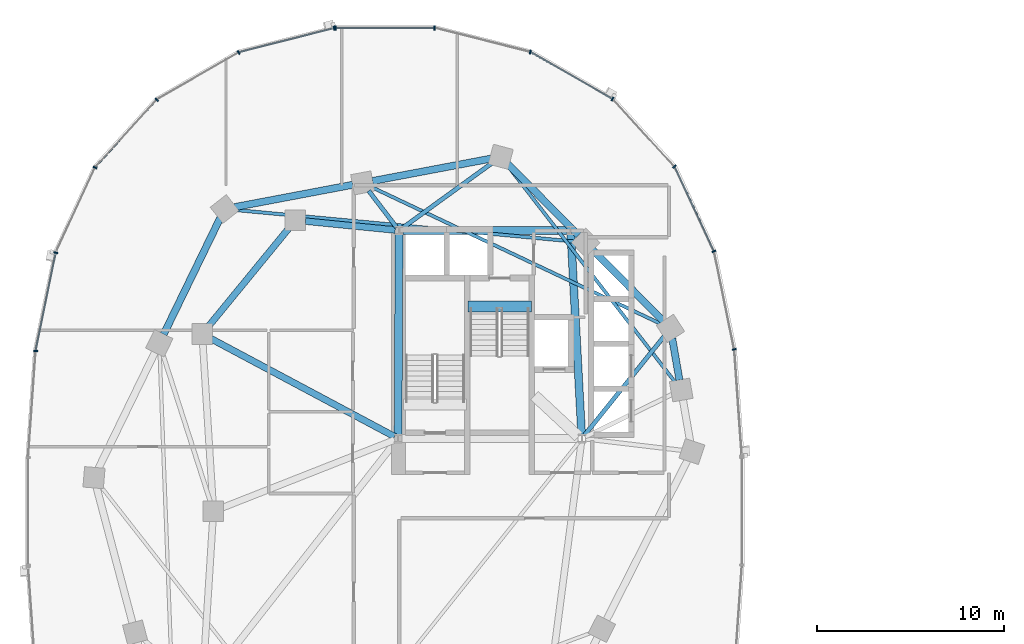
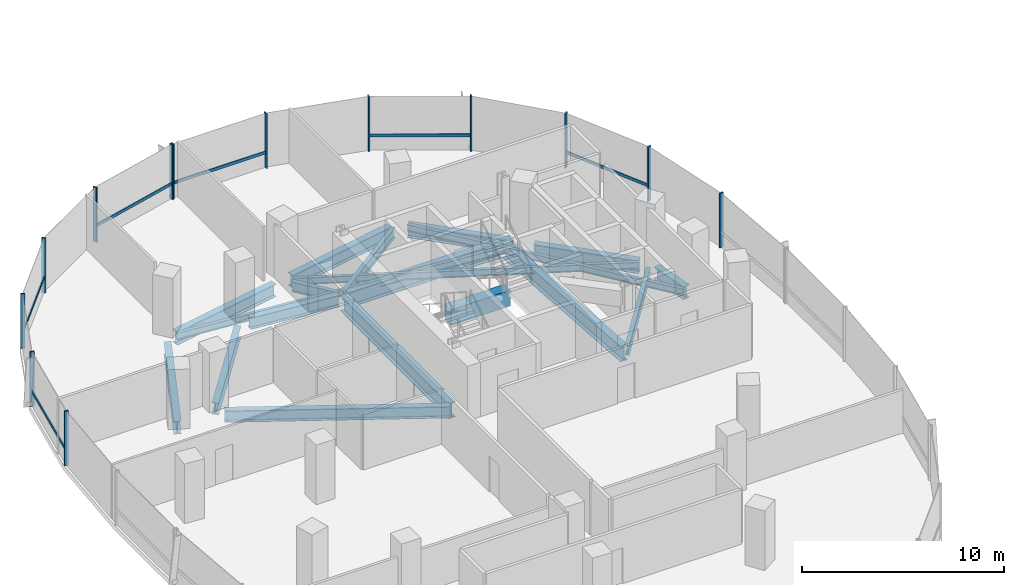
# One storey, part 4 of 21: 19 beams, 19 members, 2 elements without a shape of their own.
"""IFC4 building model written with IfcOpenShell, lengths in metres."""

from ifc_helpers import new_model, si_unit, direction, frame, origin, origin_2d, place, context, subcontext, project, spatial, rectangle, i_section, extrude, material, material_profile, profile_set, type_object, element, aggregate, save


model = new_model("IFC4")

# Units and contexts
model_context = context("Model", 3, precision=1e-05, world=origin(), true_north=direction((0.0, 1.0)))
body_context = subcontext(model_context, "Body", "Model", "MODEL_VIEW")
ifc_project = project(units=[si_unit("LENGTHUNIT", "METRE"), si_unit("AREAUNIT", "SQUARE_METRE"), si_unit("VOLUMEUNIT", "CUBIC_METRE"), si_unit("PLANEANGLEUNIT", "RADIAN"), si_unit("MASSUNIT", "GRAM", prefix="KILO"), si_unit("THERMODYNAMICTEMPERATUREUNIT", "KELVIN"), si_unit("POWERUNIT", "WATT")], contexts=[model_context])

# Site, building, storey
site_placement = place(None, origin())
site = spatial("IfcSite", under=ifc_project, at=site_placement, CompositionType="ELEMENT")
building_placement = place(site_placement, origin())
building = spatial("IfcBuilding", under=site, at=building_placement, Name="Cundina Bronze Exchange", CompositionType="ELEMENT")
storey_placement = place(building_placement, frame((0.0, 0.0, 96.199951171875)))
storey = spatial("IfcBuildingStorey", under=building, at=storey_placement, Name="L24", CompositionType="ELEMENT", Elevation=96.199951171875)

# Beams
ifc_material_1 = material(Name="Concrete C60/75", Category="concrete")
ifc_material_profile_1 = material_profile(ifc_material_1, rectangle(XDim=0.60009765625, YDim=0.949951171875, at=origin_2d()), Name="RC600X950", Category="concrete")
ifc_profile_set_1 = profile_set([ifc_material_profile_1], Name="Concrete C60/75")
beam_type_1 = type_object("IfcBeamType", Name="BM-COUP-RC950", PredefinedType="LINTEL", material=ifc_profile_set_1)
beam_1_placement = place(storey_placement, frame((-27.56005859375, 10.97998046875, -0.474853515625), z_axis=(1.0, 0.0, 0.0), x_axis=(0.0, 1.0, 0.0)))
element("IfcBeam", 1, at=beam_1_placement, inside=storey, type_object=beam_type_1, Name="L24 Stair W2 Landing Header Beam", PredefinedType="LINTEL", context=body_context, shape_type="SweptSolid", body=[
    extrude(rectangle(XDim=0.60009765625, YDim=0.949951171875, at=origin_2d()), origin(), (0.0, 0.0, 1.0), 3.400146484375),
])
ifc_material_2 = material(Name="Steel ASTM A992 Grade 50", Category="steel")
ifc_material_profile_2 = material_profile(ifc_material_2, i_section(OverallWidth=0.22998046875, OverallDepth=0.616943359375, WebThickness=0.01318359375, FlangeThickness=0.022216796875, FilletRadius=0.013916015625, at=origin_2d()), Name="W24X94", Category="steel")
ifc_profile_set_2 = profile_set([ifc_material_profile_2], Name="Steel ASTM A992 Grade 50")
beam_type_2 = type_object("IfcBeamType", Name="BM-FLR-W24B", PredefinedType="BEAM", material=ifc_profile_set_2)
beam_2_placement = place(storey_placement, frame((-21.322021484375, 4.058837890625, -0.6083984375), z_axis=(0.627106187843, 0.778933777139, 0.0), x_axis=(-0.778933777139, 0.627106187843, 0.0)))
element("IfcBeam", 2, at=beam_2_placement, inside=storey, type_object=beam_type_2, Name="L24 Leg W Radial Floor Beam 02", PredefinedType="BEAM", context=body_context, shape_type="SweptSolid", body=[
    extrude(i_section(OverallWidth=0.22998046875, OverallDepth=0.616943359375, WebThickness=0.01318359375, FlangeThickness=0.022216796875, FilletRadius=0.013916015625, at=origin_2d()), origin(), (0.0, 0.0, 1.0), 6.83251953125),
])
beam_3_placement = place(storey_placement, frame((-31.084716796875, 15.169677734375, -0.6083984375), z_axis=(0.809686957662, 0.586862020063, 0.0), x_axis=(-0.586862020063, 0.809686957662, 0.0)))
element("IfcBeam", 3, at=beam_3_placement, inside=storey, type_object=beam_type_2, Name="L24 Leg W Radial Floor Beam 04", PredefinedType="BEAM", context=body_context, shape_type="SweptSolid", body=[
    extrude(i_section(OverallWidth=0.22998046875, OverallDepth=0.616943359375, WebThickness=0.01318359375, FlangeThickness=0.022216796875, FilletRadius=0.013916015625, at=origin_2d()), origin(), (0.0, 0.0, 1.0), 5.98876953125),
])
beam_4_placement = place(storey_placement, frame((-31.373779296875, 15.2119140625, -0.6083984375), z_axis=(-0.607490490457, 0.79432695032, 0.0), x_axis=(-0.79432695032, -0.607490490457, 0.0)))
element("IfcBeam", 4, at=beam_4_placement, inside=storey, type_object=beam_type_2, Name="L24 Leg W Radial Floor Beam 05", PredefinedType="BEAM", context=body_context, shape_type="SweptSolid", body=[
    extrude(i_section(OverallWidth=0.22998046875, OverallDepth=0.616943359375, WebThickness=0.01318359375, FlangeThickness=0.022216796875, FilletRadius=0.013916015625, at=origin_2d()), origin(), (0.0, 0.0, 1.0), 2.46826171875),
])
ifc_material_profile_3 = material_profile(ifc_material_2, i_section(OverallWidth=0.178955078125, OverallDepth=0.409912109375, WebThickness=0.0087890625, FlangeThickness=0.014404296875, FilletRadius=0.010986328125, at=origin_2d()), Name="W16X45", Category="steel")
ifc_profile_set_3 = profile_set([ifc_material_profile_3], Name="Steel ASTM A992 Grade 50")
beam_type_3 = type_object("IfcBeamType", Name="BM-JST-W16", PredefinedType="JOIST", material=ifc_profile_set_3)
beam_5_placement = place(storey_placement, frame((-16.454345703125, 6.92529296875, -0.5048828125), z_axis=(-0.612065218806, 0.790807288742, 0.0), x_axis=(-0.790807288742, -0.612065218806, 0.0)))
element("IfcBeam", 5, at=beam_5_placement, inside=storey, type_object=beam_type_3, Name="L24 Leg W Lobe Floor Joist 01-04", PredefinedType="JOIST", context=body_context, shape_type="SweptSolid", body=[
    extrude(i_section(OverallWidth=0.178955078125, OverallDepth=0.409912109375, WebThickness=0.0087890625, FlangeThickness=0.014404296875, FilletRadius=0.010986328125, at=origin_2d()), origin(), (0.0, 0.0, 1.0), 14.73095703125),
])
beam_6_placement = place(storey_placement, frame((-17.186279296875, 10.02978515625, -0.5048828125), z_axis=(-0.904069270633, 0.427385954259, 0.0), x_axis=(-0.427385954259, -0.904069270633, 0.0)))
element("IfcBeam", 6, at=beam_6_placement, inside=storey, type_object=beam_type_3, Name="L24 Leg W Lobe Floor Joist 02-05", PredefinedType="JOIST", context=body_context, shape_type="SweptSolid", body=[
    extrude(i_section(OverallWidth=0.178955078125, OverallDepth=0.409912109375, WebThickness=0.0087890625, FlangeThickness=0.014404296875, FilletRadius=0.010986328125, at=origin_2d()), origin(), (0.0, 0.0, 1.0), 17.175048828125),
])
beam_7_placement = place(storey_placement, frame((-21.78564453125, 14.44970703125, -0.5048828125), z_axis=(-0.995700674022, 0.092629194921, 0.0), x_axis=(-0.092629194921, -0.995700674022, 0.0)))
element("IfcBeam", 7, at=beam_7_placement, inside=storey, type_object=beam_type_3, Name="L24 Leg W Lobe Floor Joist 03-06", PredefinedType="JOIST", context=body_context, shape_type="SweptSolid", body=[
    extrude(i_section(OverallWidth=0.178955078125, OverallDepth=0.409912109375, WebThickness=0.0087890625, FlangeThickness=0.014404296875, FilletRadius=0.010986328125, at=origin_2d()), origin(), (0.0, 0.0, 1.0), 18.357421875),
])
ifc_material_profile_4 = material_profile(ifc_material_2, i_section(OverallWidth=0.35498046875, OverallDepth=0.695068359375, WebThickness=0.015380859375, FlangeThickness=0.02490234375, FilletRadius=0.01806640625, at=origin_2d()), Name="W27X146", Category="steel")
ifc_profile_set_4 = profile_set([ifc_material_profile_4], Name="Steel ASTM A992 Grade 50")
beam_type_4 = type_object("IfcBeamType", Name="BM-RING-W27", PredefinedType="USERDEFINED", material=ifc_profile_set_4)
beam_8_placement = place(storey_placement, frame((-31.452880859375, 15.070068359375, -0.6474609375), z_axis=(-0.995126271817, 0.098608839051, 0.0), x_axis=(-0.098608839051, -0.995126271817, 0.0)))
element("IfcBeam", 8, at=beam_8_placement, inside=storey, type_object=beam_type_4, Name="L24 W Inner Structural Ring Girder 01", ObjectType="GIRDER", PredefinedType="USERDEFINED", context=body_context, shape_type="SweptSolid", body=[
    extrude(i_section(OverallWidth=0.35498046875, OverallDepth=0.695068359375, WebThickness=0.015380859375, FlangeThickness=0.02490234375, FilletRadius=0.01806640625, at=origin_2d()), origin(), (0.0, 0.0, 1.0), 4.83544921875),
])
beam_9_placement = place(storey_placement, frame((-37.14111328125, 15.183837890625, -0.6474609375), z_axis=(-0.633926549035, -0.773393257295, 0.0), x_axis=(0.773393257295, -0.633926549035, 0.0)))
element("IfcBeam", 9, at=beam_9_placement, inside=storey, type_object=beam_type_4, Name="L24 W Inner Structural Ring Girder 02", ObjectType="GIRDER", PredefinedType="USERDEFINED", context=body_context, shape_type="SweptSolid", body=[
    extrude(i_section(OverallWidth=0.35498046875, OverallDepth=0.695068359375, WebThickness=0.015380859375, FlangeThickness=0.02490234375, FilletRadius=0.01806640625, at=origin_2d()), origin(), (0.0, 0.0, 1.0), 6.811279296875),
])
beam_10_placement = place(storey_placement, frame((-31.47998046875, 3.99609375, -0.6474609375), z_axis=(-0.882354758239, 0.470584828286, 0.0), x_axis=(-0.470584828286, -0.882354758239, 0.0)))
element("IfcBeam", 10, at=beam_10_placement, inside=storey, type_object=beam_type_4, Name="L24 W Core-to-Waist Tie Beam 2", ObjectType="GIRDER", PredefinedType="USERDEFINED", context=body_context, shape_type="SweptSolid", body=[
    extrude(i_section(OverallWidth=0.35498046875, OverallDepth=0.695068359375, WebThickness=0.015380859375, FlangeThickness=0.02490234375, FilletRadius=0.01806640625, at=origin_2d()), origin(), (0.0, 0.0, 1.0), 11.157958984375),
])
ifc_material_profile_5 = material_profile(ifc_material_2, i_section(OverallWidth=0.381103515625, OverallDepth=0.77294921875, WebThickness=0.0166015625, FlangeThickness=0.027099609375, FilletRadius=0.01904296875, at=origin_2d()), Name="W30X173", Category="steel")
ifc_profile_set_5 = profile_set([ifc_material_profile_5], Name="Steel ASTM A992 Grade 50")
beam_type_5 = type_object("IfcBeamType", Name="BM-RING-W30", PredefinedType="USERDEFINED", material=ifc_profile_set_5)
beam_11_placement = place(storey_placement, frame((-16.21728515625, 7.030029296875, -0.6865234375), z_axis=(-0.171690078326, 0.985151012284, 0.0), x_axis=(-0.985151012284, -0.171690078326, 0.0)))
element("IfcBeam", 11, at=beam_11_placement, inside=storey, type_object=beam_type_5, Name="L24 W Perimeter Ring Girder 01", ObjectType="GIRDER", PredefinedType="USERDEFINED", context=body_context, shape_type="SweptSolid", body=[
    extrude(i_section(OverallWidth=0.381103515625, OverallDepth=0.77294921875, WebThickness=0.0166015625, FlangeThickness=0.027099609375, FilletRadius=0.01904296875, at=origin_2d()), origin(), (0.0, 0.0, 1.0), 2.273681640625),
])
for number, where, z_axis, x_axis, name in (
    (12, (-17.078369140625, 10.1826171875, -0.6865234375), (-0.703226342126, 0.7109660412, 0.0), (-0.7109660412, -0.703226342126, 0.0), "L24 W Perimeter Ring Girder 02"),
    (13, (-21.62841796875, 14.782470703125, -0.6865234375), (-0.703226342126, 0.7109660412, 0.0), (-0.7109660412, -0.703226342126, 0.0), "L24 W Perimeter Ring Girder 03"),
):
    element("IfcBeam", number, at=place(storey_placement, frame(where, z_axis=z_axis, x_axis=x_axis)), inside=storey, type_object=beam_type_5, Name=name, ObjectType="GIRDER", PredefinedType="USERDEFINED", context=body_context, shape_type="SweptSolid", body=[
        extrude(i_section(OverallWidth=0.381103515625, OverallDepth=0.77294921875, WebThickness=0.0166015625, FlangeThickness=0.027099609375, FilletRadius=0.01904296875, at=origin_2d()), origin(), (0.0, 0.0, 1.0), 5.39404296875),
    ])
for number, where, z_axis, x_axis, name in (
    (14, (-26.32861328125, 18.89990234375, -0.6865234375), (-0.98257117919, -0.185886733861, 0.0), (0.185886733861, -0.98257117919, 0.0), "L24 W Perimeter Ring Girder 04"),
    (15, (-33.728515625, 17.5, -0.6865234375), (-0.98257117919, -0.185886733861, 0.0), (0.185886733861, -0.98257117919, 0.0), "L24 W Perimeter Ring Girder 05"),
):
    element("IfcBeam", number, at=place(storey_placement, frame(where, z_axis=z_axis, x_axis=x_axis)), inside=storey, type_object=beam_type_5, Name=name, ObjectType="GIRDER", PredefinedType="USERDEFINED", context=body_context, shape_type="SweptSolid", body=[
        extrude(i_section(OverallWidth=0.381103515625, OverallDepth=0.77294921875, WebThickness=0.0166015625, FlangeThickness=0.027099609375, FilletRadius=0.01904296875, at=origin_2d()), origin(), (0.0, 0.0, 1.0), 6.455322265625),
    ])
beam_12_placement = place(storey_placement, frame((-40.835205078125, 15.716064453125, -0.6865234375), z_axis=(-0.437193894283, -0.899367276924, 0.0), x_axis=(0.899367276924, -0.437193894283, 0.0)))
element("IfcBeam", 16, at=beam_12_placement, inside=storey, type_object=beam_type_5, Name="L24 W Perimeter Ring Girder 06", ObjectType="GIRDER", PredefinedType="USERDEFINED", context=body_context, shape_type="SweptSolid", body=[
    extrude(i_section(OverallWidth=0.381103515625, OverallDepth=0.77294921875, WebThickness=0.0166015625, FlangeThickness=0.027099609375, FilletRadius=0.01904296875, at=origin_2d()), origin(), (0.0, 0.0, 1.0), 6.929443359375),
])
ifc_material_profile_6 = material_profile(ifc_material_2, i_section(OverallWidth=0.41796875, OverallDepth=0.927001953125, WebThickness=0.019287109375, FlangeThickness=0.031982421875, FilletRadius=0.02392578125, at=origin_2d()), Name="W36X231", Category="steel")
ifc_profile_set_6 = profile_set([ifc_material_profile_6], Name="Steel ASTM A992 Grade 50")
beam_type_6 = type_object("IfcBeamType", Name="BM-WRN-W36B", PredefinedType="USERDEFINED", material=ifc_profile_set_6)
beam_13_placement = place(storey_placement, frame((-21.4609375, 4.103759765625, -0.763427734375), z_axis=(-0.053739193498, 0.998555005537, 0.0), x_axis=(-0.998555005537, -0.053739193498, 0.0)))
element("IfcBeam", 17, at=beam_13_placement, inside=storey, type_object=beam_type_6, Name="L24 W Core Perimeter Tie Girder 2", ObjectType="GIRDER", PredefinedType="USERDEFINED", context=body_context, shape_type="SweptSolid", body=[
    extrude(i_section(OverallWidth=0.41796875, OverallDepth=0.927001953125, WebThickness=0.019287109375, FlangeThickness=0.031982421875, FilletRadius=0.02392578125, at=origin_2d()), origin(), (0.0, 0.0, 1.0), 10.758056640625),
])
beam_14_placement = place(storey_placement, frame((-22.25390625, 15.050048828125, -0.763427734375), z_axis=(-1.0, 0.0, 0.0), x_axis=(0.0, -1.0, 0.0)))
element("IfcBeam", 18, at=beam_14_placement, inside=storey, type_object=beam_type_6, Name="L24 W Core Perimeter Tie Girder 3", ObjectType="GIRDER", PredefinedType="USERDEFINED", context=body_context, shape_type="SweptSolid", body=[
    extrude(i_section(OverallWidth=0.41796875, OverallDepth=0.927001953125, WebThickness=0.019287109375, FlangeThickness=0.031982421875, FilletRadius=0.02392578125, at=origin_2d()), origin(), (0.0, 0.0, 1.0), 8.7919921875),
])
beam_15_placement = place(storey_placement, frame((-31.2509765625, 14.845947265625, -0.763427734375), z_axis=(-0.004477329608, -0.99998997671, 0.0), x_axis=(0.99998997671, -0.004477329608, 0.0)))
element("IfcBeam", 19, at=beam_15_placement, inside=storey, type_object=beam_type_6, Name="L24 W Core Perimeter Tie Girder 4", ObjectType="GIRDER", PredefinedType="USERDEFINED", context=body_context, shape_type="SweptSolid", body=[
    extrude(i_section(OverallWidth=0.41796875, OverallDepth=0.927001953125, WebThickness=0.019287109375, FlangeThickness=0.031982421875, FilletRadius=0.02392578125, at=origin_2d()), origin(), (0.0, 0.0, 1.0), 10.741943359375),
])

# Curtain wall, members
ifc_material_3 = material(Name="Anodised Bronze Aluminium 6063-T6", Category="aluminium")
curtain_wall_type = type_object("IfcCurtainWallType", Name="CWS-TRD-MID", PredefinedType="NOTDEFINED", material=ifc_material_3)
curtain_wall_1_placement = place(storey_placement, origin())
curtain_wall_1 = element("IfcCurtainWall", 20, at=curtain_wall_1_placement, inside=storey, type_object=curtain_wall_type, Name="L24 CW-03 Curtain Wall Run CWR-L24-W1", PredefinedType="NOTDEFINED")
ifc_material_profile_7 = material_profile(ifc_material_3, rectangle(XDim=0.074951171875, YDim=0.219970703125, at=origin_2d()), Name="AL75X220", Category="aluminium")
ifc_profile_set_7 = profile_set([ifc_material_profile_7], Name="Anodised Bronze Aluminium 6063-T6")
member_type_1 = type_object("IfcMemberType", Name="CWM-MUL-220", PredefinedType="MULLION", material=ifc_profile_set_7)
member_1_placement = place(storey_placement, frame((-13.282958984375, 8.67822265625, 0.0), z_axis=(0.0, 0.0, 1.0), x_axis=(-0.201419845156, 0.979505000486, 0.0)))
member_1 = element("IfcMember", 21, at=member_1_placement, type_object=member_type_1, Name="CW-03 Mullion 2", PredefinedType="MULLION", context=body_context, shape_type="SweptSolid", body=[
    extrude(rectangle(XDim=0.074951171875, YDim=0.219970703125, at=origin_2d()), origin(), (0.0, 0.0, 1.0), 3.300048828125),
])
member_2_placement = place(storey_placement, frame((-14.3720703125, 13.931884765625, 0.0), z_axis=(0.0, 0.0, 1.0), x_axis=(-0.42087749791, 0.907117485088, 0.0)))
member_2 = element("IfcMember", 22, at=member_2_placement, type_object=member_type_1, Name="CW-03 Mullion 3", PredefinedType="MULLION", context=body_context, shape_type="SweptSolid", body=[
    extrude(rectangle(XDim=0.074951171875, YDim=0.219970703125, at=origin_2d()), origin(), (0.0, 0.0, 1.0), 3.300048828125),
])
member_3_placement = place(storey_placement, frame((-16.491455078125, 18.47705078125, 0.0), z_axis=(0.0, 0.0, 1.0), x_axis=(-0.674302387584, 0.738455340626, 0.0)))
member_3 = element("IfcMember", 23, at=member_3_placement, type_object=member_type_1, Name="CW-03 Mullion 4", PredefinedType="MULLION", context=body_context, shape_type="SweptSolid", body=[
    extrude(rectangle(XDim=0.074951171875, YDim=0.219970703125, at=origin_2d()), origin(), (0.0, 0.0, 1.0), 3.300048828125),
])
member_4_placement = place(storey_placement, frame((-19.810302734375, 22.097412109375, 0.0), z_axis=(0.0, 0.0, 1.0), x_axis=(-0.867070701164, 0.498185105339, 0.0)))
member_4 = element("IfcMember", 24, at=member_4_placement, type_object=member_type_1, Name="CW-03 Mullion 5", PredefinedType="MULLION", context=body_context, shape_type="SweptSolid", body=[
    extrude(rectangle(XDim=0.074951171875, YDim=0.219970703125, at=origin_2d()), origin(), (0.0, 0.0, 1.0), 3.300048828125),
])
member_5_placement = place(storey_placement, frame((-24.21484375, 24.61669921875, 0.0), z_axis=(0.0, 0.0, 1.0), x_axis=(-0.969488149345, 0.245138182011, 0.0)))
member_5 = element("IfcMember", 25, at=member_5_placement, type_object=member_type_1, Name="CW-03 Mullion 6", PredefinedType="MULLION", context=body_context, shape_type="SweptSolid", body=[
    extrude(rectangle(XDim=0.074951171875, YDim=0.219970703125, at=origin_2d()), origin(), (0.0, 0.0, 1.0), 3.300048828125),
])
member_6_placement = place(storey_placement, frame((-29.345458984375, 25.905029296875, 0.0), z_axis=(0.0, 0.0, 1.0), x_axis=(-1.0, 0.0, 0.0)))
member_6 = element("IfcMember", 26, at=member_6_placement, type_object=member_type_1, Name="CW-03 Mullion 7", PredefinedType="MULLION", context=body_context, shape_type="SweptSolid", body=[
    extrude(rectangle(XDim=0.074951171875, YDim=0.219970703125, at=origin_2d()), origin(), (0.0, 0.0, 1.0), 3.300048828125),
])
member_7_placement = place(storey_placement, frame((-34.654541015625, 25.905029296875, 0.0), z_axis=(0.0, 0.0, 1.0), x_axis=(-1.0, 0.0, 0.0)))
member_7 = element("IfcMember", 27, at=member_7_placement, type_object=member_type_1, Name="CW-03 End Mullion", PredefinedType="MULLION", context=body_context, shape_type="SweptSolid", body=[
    extrude(rectangle(XDim=0.074951171875, YDim=0.219970703125, at=origin_2d()), origin(), (0.0, 0.0, 1.0), 3.300048828125),
])

curtain_wall_2_placement = place(storey_placement, origin())
curtain_wall_2 = element("IfcCurtainWall", 28, at=curtain_wall_2_placement, inside=storey, type_object=curtain_wall_type, Name="L24 CW-03 Curtain Wall Run CWR-L24-W2", PredefinedType="NOTDEFINED")
member_8_placement = place(storey_placement, frame((-34.72607421875, 25.89599609375, 0.0), z_axis=(0.0, 0.0, 1.0), x_axis=(-0.969488149345, -0.245138182011, 0.0)))
member_8 = element("IfcMember", 29, at=member_8_placement, type_object=member_type_1, Name="CW-03 Mullion 1", PredefinedType="MULLION", context=body_context, shape_type="SweptSolid", body=[
    extrude(rectangle(XDim=0.074951171875, YDim=0.219970703125, at=origin_2d()), origin(), (0.0, 0.0, 1.0), 3.300048828125),
])
member_9_placement = place(storey_placement, frame((-39.848876953125, 24.591064453125, 0.0), z_axis=(0.0, 0.0, 1.0), x_axis=(-0.867070701164, -0.498185105339, 0.0)))
member_9 = element("IfcMember", 30, at=member_9_placement, type_object=member_type_1, Name="CW-03 Mullion 2", PredefinedType="MULLION", context=body_context, shape_type="SweptSolid", body=[
    extrude(rectangle(XDim=0.074951171875, YDim=0.219970703125, at=origin_2d()), origin(), (0.0, 0.0, 1.0), 3.300048828125),
])
member_10_placement = place(storey_placement, frame((-44.239501953125, 22.0576171875, 0.0), z_axis=(0.0, 0.0, 1.0), x_axis=(-0.674302387584, -0.738455340626, 0.0)))
member_10 = element("IfcMember", 31, at=member_10_placement, type_object=member_type_1, Name="CW-03 Mullion 3", PredefinedType="MULLION", context=body_context, shape_type="SweptSolid", body=[
    extrude(rectangle(XDim=0.074951171875, YDim=0.219970703125, at=origin_2d()), origin(), (0.0, 0.0, 1.0), 3.300048828125),
])
member_11_placement = place(storey_placement, frame((-47.544189453125, 18.423583984375, 0.0), z_axis=(0.0, 0.0, 1.0), x_axis=(-0.42087749791, -0.907117485088, 0.0)))
member_11 = element("IfcMember", 32, at=member_11_placement, type_object=member_type_1, Name="CW-03 Mullion 4", PredefinedType="MULLION", context=body_context, shape_type="SweptSolid", body=[
    extrude(rectangle(XDim=0.074951171875, YDim=0.219970703125, at=origin_2d()), origin(), (0.0, 0.0, 1.0), 3.300048828125),
])
member_12_placement = place(storey_placement, frame((-49.651123046875, 13.861328125, 0.0), z_axis=(0.0, 0.0, 1.0), x_axis=(-0.201419845156, -0.979505000486, 0.0)))
member_12 = element("IfcMember", 33, at=member_12_placement, type_object=member_type_1, Name="CW-03 Mullion 5", PredefinedType="MULLION", context=body_context, shape_type="SweptSolid", body=[
    extrude(rectangle(XDim=0.074951171875, YDim=0.219970703125, at=origin_2d()), origin(), (0.0, 0.0, 1.0), 3.300048828125),
])
member_13_placement = place(storey_placement, frame((-50.72900390625, 8.591552734375, 0.0), z_axis=(0.0, 0.0, 1.0), x_axis=(-0.070278787473, -0.997527389113, 0.0)))
member_13 = element("IfcMember", 34, at=member_13_placement, type_object=member_type_1, Name="CW-03 Mullion 6", PredefinedType="MULLION", context=body_context, shape_type="SweptSolid", body=[
    extrude(rectangle(XDim=0.074951171875, YDim=0.219970703125, at=origin_2d()), origin(), (0.0, 0.0, 1.0), 3.300048828125),
])

# Member
ifc_material_profile_8 = material_profile(ifc_material_3, rectangle(XDim=0.070068359375, YDim=0.179931640625, at=origin_2d()), Name="AL70X180", Category="aluminium")
ifc_profile_set_8 = profile_set([ifc_material_profile_8], Name="Anodised Bronze Aluminium 6063-T6")
member_type_2 = type_object("IfcMemberType", Name="CWM-TRN-180", PredefinedType="USERDEFINED", material=ifc_profile_set_8)
member_14_placement = place(storey_placement, frame((-14.389404296875, 13.96923828125, 0.920166015625), z_axis=(-0.420811422796, 0.907148139195, 0.0), x_axis=(-0.907148139195, -0.420811422796, 0.0)))
member_14 = element("IfcMember", 35, at=member_14_placement, type_object=member_type_2, Name="CW-03 Spandrel Transom 3", ObjectType="TRANSOM", PredefinedType="USERDEFINED", context=body_context, shape_type="SweptSolid", body=[
    extrude(rectangle(XDim=0.070068359375, YDim=0.179931640625, at=origin_2d()), origin(), (0.0, 0.0, 1.0), 4.95166015625),
])

member_15_placement = place(storey_placement, frame((-19.845947265625, 22.117919921875, 0.920166015625), z_axis=(-0.867097475651, 0.498138502546, 0.0), x_axis=(-0.498138502546, -0.867097475651, 0.0)))
member_15 = element("IfcMember", 36, at=member_15_placement, type_object=member_type_2, Name="CW-03 Spandrel Transom 5", ObjectType="TRANSOM", PredefinedType="USERDEFINED", context=body_context, shape_type="SweptSolid", body=[
    extrude(rectangle(XDim=0.070068359375, YDim=0.179931640625, at=origin_2d()), origin(), (0.0, 0.0, 1.0), 5.00634765625),
])

member_16_placement = place(storey_placement, frame((-29.38671875, 25.905029296875, 0.920166015625), z_axis=(-1.0, 0.0, 0.0), x_axis=(0.0, -1.0, 0.0)))
member_16 = element("IfcMember", 37, at=member_16_placement, type_object=member_type_2, Name="CW-03 Spandrel Transom 7", ObjectType="TRANSOM", PredefinedType="USERDEFINED", context=body_context, shape_type="SweptSolid", body=[
    extrude(rectangle(XDim=0.070068359375, YDim=0.179931640625, at=origin_2d()), origin(), (0.0, 0.0, 1.0), 5.2265625),
])

aggregate(curtain_wall_1, [member_1, member_2, member_14, member_3, member_4, member_15, member_5, member_6, member_7, member_16])

member_17_placement = place(storey_placement, frame((-34.76611328125, 25.885986328125, 0.920166015625), z_axis=(-0.969483968866, -0.245154714644, 0.0), x_axis=(0.245154714644, -0.969483968866, 0.0)))
member_17 = element("IfcMember", 38, at=member_17_placement, type_object=member_type_2, Name="CW-03 Spandrel Transom 1", ObjectType="TRANSOM", PredefinedType="USERDEFINED", context=body_context, shape_type="SweptSolid", body=[
    extrude(rectangle(XDim=0.070068359375, YDim=0.179931640625, at=origin_2d()), origin(), (0.0, 0.0, 1.0), 5.21826171875),
])

member_18_placement = place(storey_placement, frame((-44.26708984375, 22.027099609375, 0.920166015625), z_axis=(-0.674302794847, -0.738454968743, 0.0), x_axis=(0.738454968743, -0.674302794847, 0.0)))
member_18 = element("IfcMember", 39, at=member_18_placement, type_object=member_type_2, Name="CW-03 Spandrel Transom 3", ObjectType="TRANSOM", PredefinedType="USERDEFINED", context=body_context, shape_type="SweptSolid", body=[
    extrude(rectangle(XDim=0.070068359375, YDim=0.179931640625, at=origin_2d()), origin(), (0.0, 0.0, 1.0), 4.848388671875),
])

member_19_placement = place(storey_placement, frame((-49.659423828125, 13.821044921875, 0.920166015625), z_axis=(-0.201427712708, -0.979503382615, 0.0), x_axis=(0.979503382615, -0.201427712708, 0.0)))
member_19 = element("IfcMember", 40, at=member_19_placement, type_object=member_type_2, Name="CW-03 Spandrel Transom 5", ObjectType="TRANSOM", PredefinedType="USERDEFINED", context=body_context, shape_type="SweptSolid", body=[
    extrude(rectangle(XDim=0.070068359375, YDim=0.179931640625, at=origin_2d()), origin(), (0.0, 0.0, 1.0), 5.291748046875),
])

aggregate(curtain_wall_2, [member_8, member_17, member_9, member_10, member_18, member_11, member_12, member_19, member_13])

save(model, "model.ifc")
